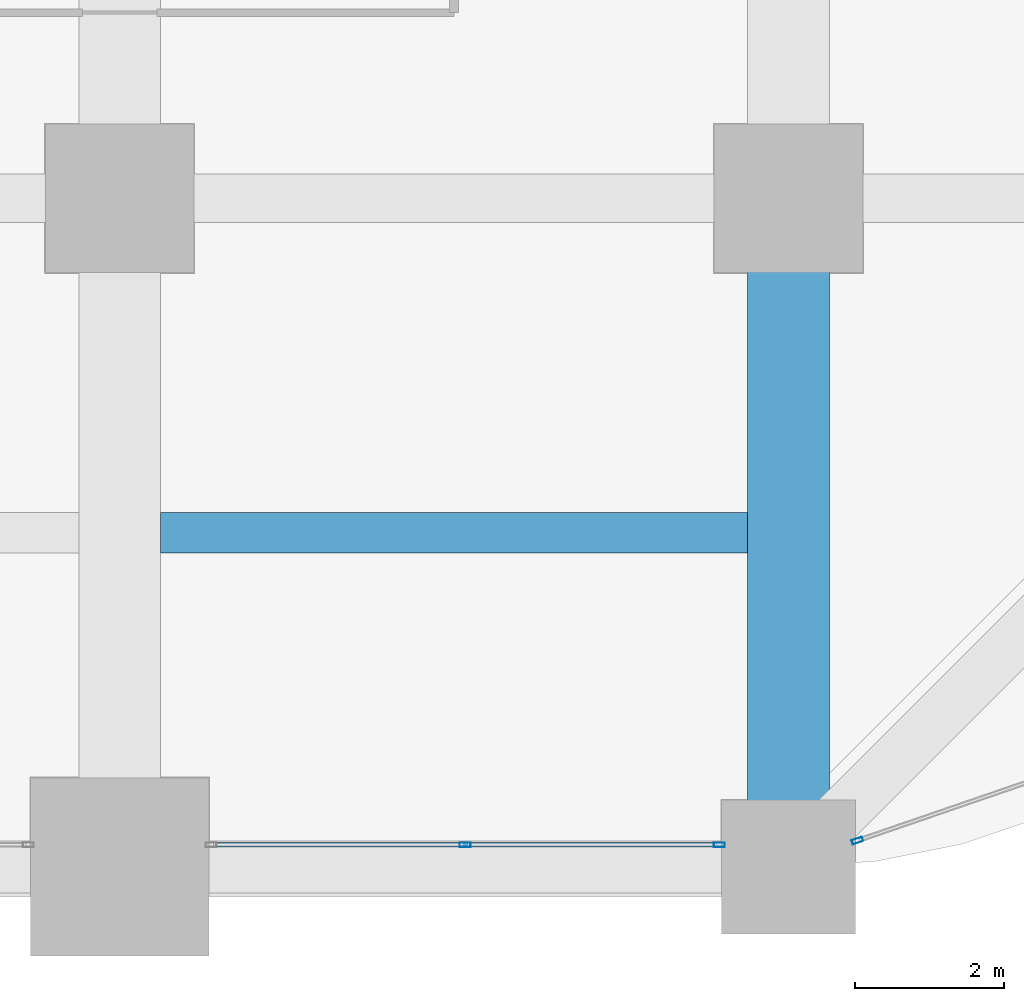
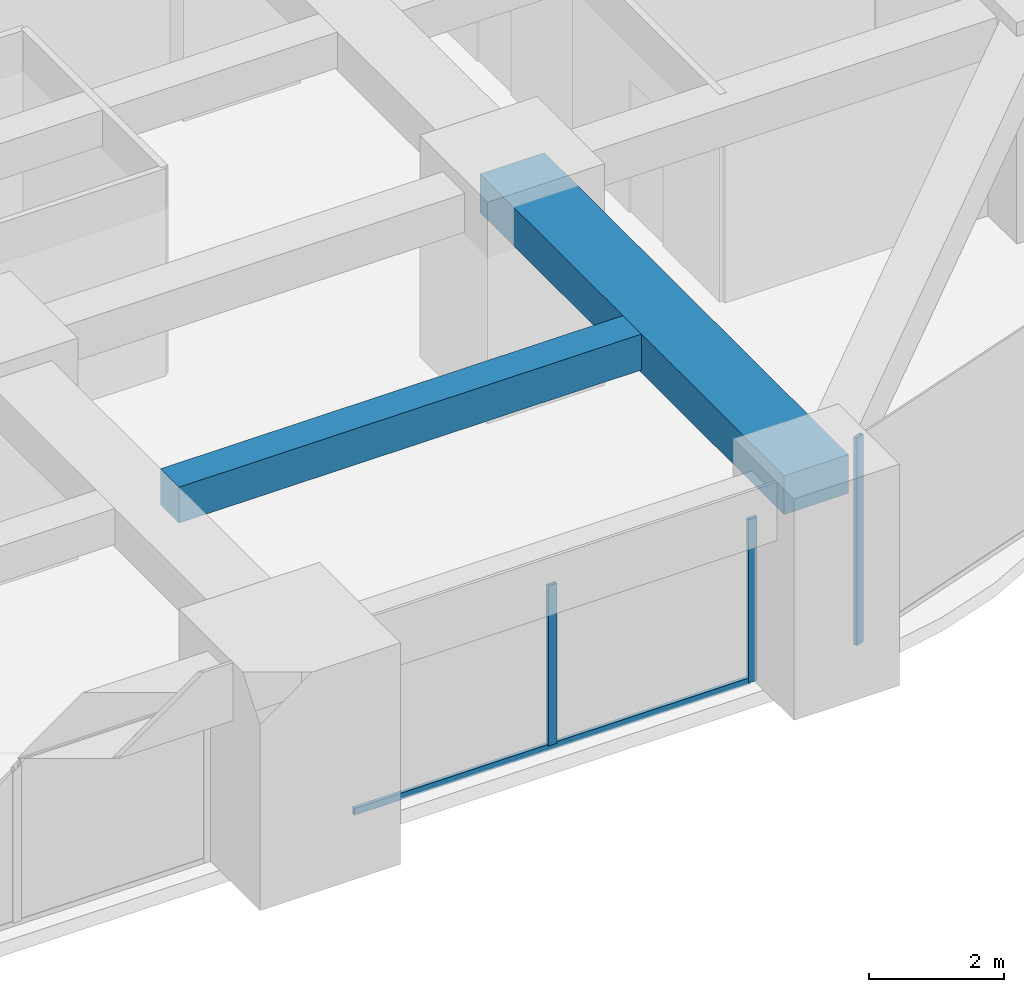
# One storey, part 16 of 41: 4 members, 2 beams, 2 elements without a shape of their own.
"""IFC4 building model written with IfcOpenShell, lengths in metres."""

from ifc_helpers import new_model, si_unit, direction, frame, origin, origin_2d, place, context, subcontext, project, spatial, rectangle, hollow_rectangle, extrude, material, material_profile, profile_set, type_object, element, aggregate, save


model = new_model("IFC4")

# Units and contexts
model_context = context("Model", 3, precision=1e-05, world=origin(), true_north=direction((0.0, 1.0)))
body_context = subcontext(model_context, "Body", "Model", "MODEL_VIEW")
ifc_project = project(units=[si_unit("LENGTHUNIT", "METRE"), si_unit("AREAUNIT", "SQUARE_METRE"), si_unit("VOLUMEUNIT", "CUBIC_METRE"), si_unit("PLANEANGLEUNIT", "RADIAN"), si_unit("MASSUNIT", "GRAM", prefix="KILO")], contexts=[model_context])

# Site, building, storey
site_placement = place(None, origin())
site = spatial("IfcSite", under=ifc_project, at=site_placement, CompositionType="ELEMENT")
building_placement = place(site_placement, origin())
building = spatial("IfcBuilding", under=site, at=building_placement, Name="Zorevar Civic Tower", CompositionType="ELEMENT")
storey_placement = place(building_placement, frame((0.0, 0.0, 109.0)))
storey = spatial("IfcBuildingStorey", under=building, at=storey_placement, Name="L26", CompositionType="ELEMENT", Elevation=109.0)

# Beams
ifc_material_1 = material(Name="Concrete C50/60", Category="concrete")
ifc_material_profile_1 = material_profile(ifc_material_1, rectangle(XDim=1.10009765625, YDim=0.699951171875, at=origin_2d()), Name="RC 1100x700")
ifc_profile_set_1 = profile_set([ifc_material_profile_1], Name="Concrete C50/60")
beam_type_1 = type_object("IfcBeamType", Name="Beam RC 1100x700", PredefinedType="BEAM", material=ifc_profile_set_1)
beam_1_placement = place(storey_placement, frame((54.0, 0.0, 3.39990234375), z_axis=(0.0, 1.0, 0.0), x_axis=(-1.0, 0.0, 0.0)))
element("IfcBeam", 1, at=beam_1_placement, inside=storey, type_object=beam_type_1, Name="Girder L27", PredefinedType="BEAM", context=body_context, shape_type="SweptSolid", body=[
    extrude(rectangle(XDim=1.10009765625, YDim=0.699951171875, at=origin_2d()), origin(), (0.0, 0.0, 1.0), 9.0),
])
ifc_material_2 = material(Name="Concrete C50/60", Category="concrete")
ifc_material_profile_2 = material_profile(ifc_material_2, rectangle(XDim=0.550048828125, YDim=0.64990234375, at=origin_2d()), Name="RC 550x650")
ifc_profile_set_2 = profile_set([ifc_material_profile_2], Name="Concrete C50/60")
beam_type_2 = type_object("IfcBeamType", Name="Beam RC 550x650", PredefinedType="BEAM", material=ifc_profile_set_2)
beam_2_placement = place(storey_placement, frame((45.550048828125, 4.5, 3.425048828125), z_axis=(1.0, 0.0, 0.0), x_axis=(0.0, 1.0, 0.0)))
element("IfcBeam", 2, at=beam_2_placement, inside=storey, type_object=beam_type_2, Name="Secondary beam L27", PredefinedType="BEAM", context=body_context, shape_type="SweptSolid", body=[
    extrude(rectangle(XDim=0.550048828125, YDim=0.64990234375, at=origin_2d()), origin(), (0.0, 0.0, 1.0), 7.89990234375),
])

# Curtain wall, members
ifc_material_3 = material(Name="Dark grey solar-control glass in black aluminium frame", Category="aluminium")
curtain_wall_type = type_object("IfcCurtainWallType", Name="Curtain wall CW3 mid zone", PredefinedType="NOTDEFINED", material=ifc_material_3)
curtain_wall_1_placement = place(storey_placement, origin())
curtain_wall_1 = element("IfcCurtainWall", 3, at=curtain_wall_1_placement, inside=storey, type_object=curtain_wall_type, Name="CW3 L26", PredefinedType="NOTDEFINED")
ifc_material_4 = material(Name="Aluminium, black anodised", Category="aluminium")
ifc_material_profile_3 = material_profile(ifc_material_4, hollow_rectangle(XDim=0.06005859375, YDim=0.14990234375, WallThickness=0.00390625, at=origin_2d()), Name="AL 150x60x4")
ifc_profile_set_3 = profile_set([ifc_material_profile_3], Name="Aluminium, black anodised")
member_type_1 = type_object("IfcMemberType", Name="CW3 mullion AL 150x60x4", PredefinedType="MULLION", material=ifc_profile_set_3)
member_1_placement = place(storey_placement, frame((49.64990234375, 0.300048828125, 0.06005859375), z_axis=(0.0, 0.0, 1.0), x_axis=(0.0, 1.0, 0.0)))
member_1 = element("IfcMember", 4, at=member_1_placement, type_object=member_type_1, Name="CW3 mullion 2", PredefinedType="MULLION", context=body_context, shape_type="SweptSolid", body=[
    extrude(hollow_rectangle(XDim=0.06005859375, YDim=0.14990234375, WallThickness=0.00390625, at=origin_2d()), origin(), (0.0, 0.0, 1.0), 2.889892578125),
])
member_2_placement = place(storey_placement, frame((53.070068359375, 0.300048828125, 0.0), z_axis=(0.0, 0.0, 1.0), x_axis=(0.0, 1.0, 0.0)))
member_2 = element("IfcMember", 5, at=member_2_placement, type_object=member_type_1, Name="CW3 mullion 3", PredefinedType="MULLION", context=body_context, shape_type="SweptSolid", body=[
    extrude(hollow_rectangle(XDim=0.06005859375, YDim=0.14990234375, WallThickness=0.00390625, at=origin_2d()), origin(), (0.0, 0.0, 1.0), 2.949951171875),
])

# Curtain wall, member
curtain_wall_2_placement = place(storey_placement, origin())
curtain_wall_2 = element("IfcCurtainWall", 6, at=curtain_wall_2_placement, inside=storey, type_object=curtain_wall_type, Name="CW3 L26", PredefinedType="NOTDEFINED")
member_3_placement = place(storey_placement, frame((54.928466796875, 0.3564453125, 0.0), z_axis=(0.0, 0.0, 1.0), x_axis=(-0.324878466857, 0.945755772794, 0.0)))
member_3 = element("IfcMember", 7, at=member_3_placement, type_object=member_type_1, Name="CW3 mullion 1", PredefinedType="MULLION", context=body_context, shape_type="SweptSolid", body=[
    extrude(hollow_rectangle(XDim=0.06005859375, YDim=0.14990234375, WallThickness=0.00390625, at=origin_2d()), origin(), (0.0, 0.0, 1.0), 3.75),
])
aggregate(curtain_wall_2, [member_3])

# Member
ifc_material_5 = material(Name="Aluminium, black anodised", Category="aluminium")
ifc_material_profile_4 = material_profile(ifc_material_5, hollow_rectangle(XDim=0.06005859375, YDim=0.1201171875, WallThickness=0.0029296875, at=origin_2d()), Name="AL 120x60x3")
ifc_profile_set_4 = profile_set([ifc_material_profile_4], Name="Aluminium, black anodised")
member_type_2 = type_object("IfcMemberType", Name="CW3 transom AL 120x60x3", PredefinedType="USERDEFINED", material=ifc_profile_set_4)
member_4_placement = place(storey_placement, frame((46.260009765625, 0.300048828125, 0.030029296875), z_axis=(1.0, 0.0, 0.0), x_axis=(0.0, 1.0, 0.0)))
member_4 = element("IfcMember", 8, at=member_4_placement, type_object=member_type_2, Name="CW3 sill transom", ObjectType="TRANSOM", PredefinedType="USERDEFINED", context=body_context, shape_type="SweptSolid", body=[
    extrude(hollow_rectangle(XDim=0.06005859375, YDim=0.1201171875, WallThickness=0.0029296875, at=origin_2d()), origin(), (0.0, 0.0, 1.0), 6.780029296875),
])

aggregate(curtain_wall_1, [member_1, member_2, member_4])

save(model, "model.ifc")
